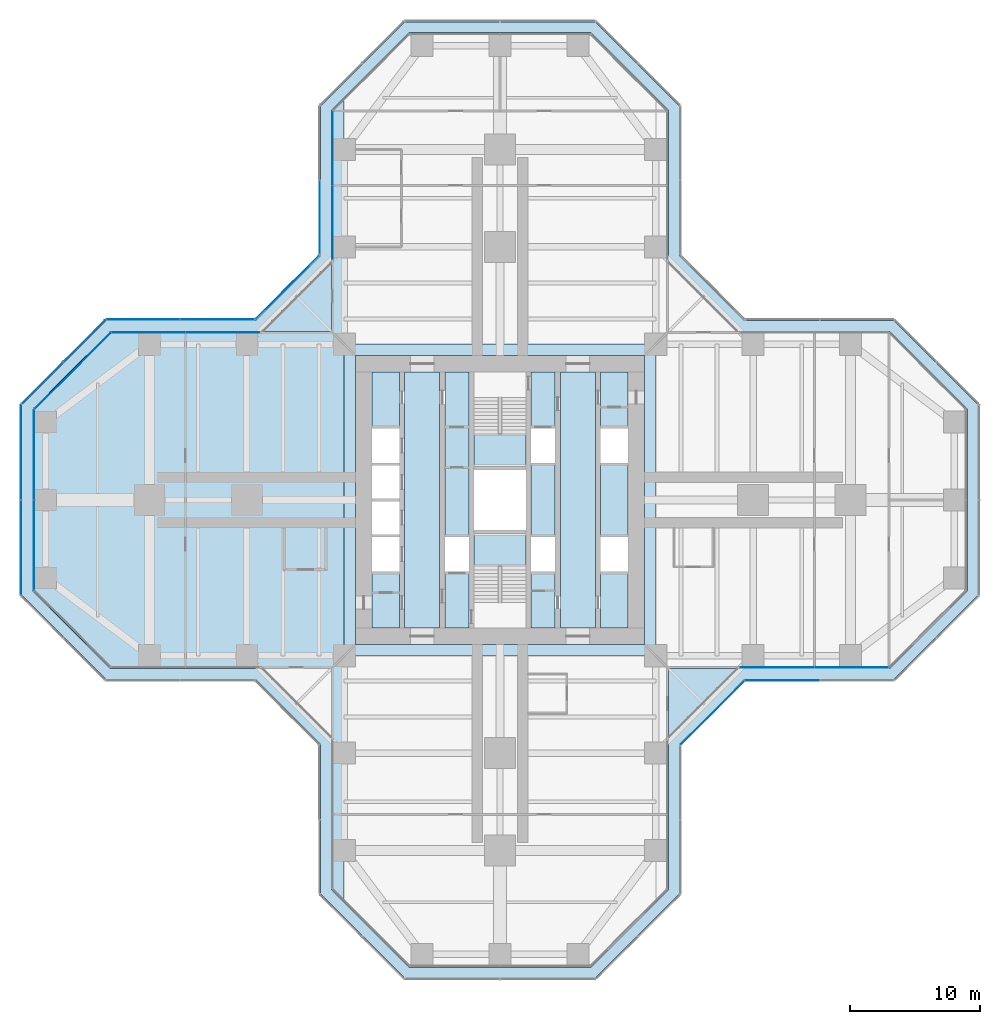
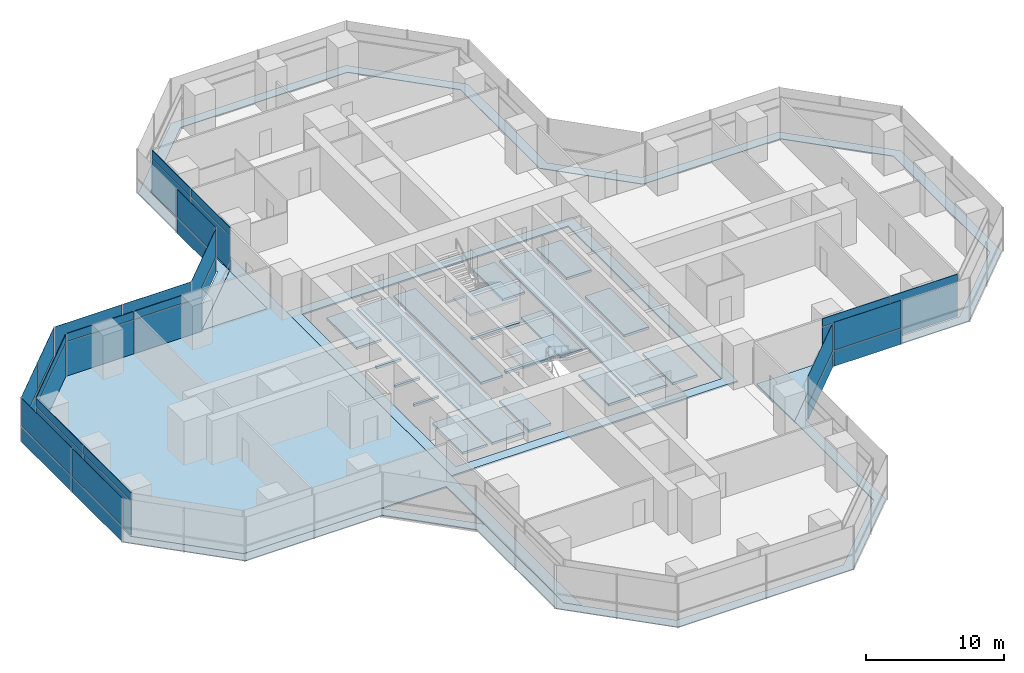
# One storey, part 15 of 22: 39 plates, 7 slabs, 14 elements without a shape of their own.
"""IFC4 building model written with IfcOpenShell, lengths in metres."""

from ifc_helpers import new_model, si_unit, direction, frame, origin, origin_2d, place, context, subcontext, project, spatial, polyline, rectangle, outline, extrude, material, layer, layer_set, type_object, element, aggregate, save


model = new_model("IFC4")

# Units and contexts
model_context = context("Model", 3, precision=1e-05, world=origin(), true_north=direction((0.0, 1.0)))
body_context = subcontext(model_context, "Body", "Model", "MODEL_VIEW")
ifc_project = project(units=[si_unit("LENGTHUNIT", "METRE"), si_unit("AREAUNIT", "SQUARE_METRE"), si_unit("VOLUMEUNIT", "CUBIC_METRE"), si_unit("PLANEANGLEUNIT", "RADIAN"), si_unit("MASSUNIT", "GRAM", prefix="KILO")], contexts=[model_context])

# Site, building, storey
site_placement = place(None, origin())
site = spatial("IfcSite", under=ifc_project, at=site_placement, CompositionType="ELEMENT")
building_placement = place(site_placement, origin())
building = spatial("IfcBuilding", under=site, at=building_placement, Name="Mizan Broadcast Tower", CompositionType="ELEMENT")
storey_placement = place(building_placement, frame((0.0, 0.0, 102.0)))
storey = spatial("IfcBuildingStorey", under=building, at=storey_placement, Name="L22", CompositionType="ELEMENT", Elevation=102.0)

# Plate
ifc_material_1 = material(Name="Aluminium grating", Category="aluminium")
ifc_layer_1 = layer(ifc_material_1, 0.050048828125)
ifc_layer_set_1 = layer_set([ifc_layer_1], Name="Aluminium grating")
plate_type_1 = type_object("IfcPlateType", Name="CAVITY GRATING", PredefinedType="USERDEFINED", material=ifc_layer_set_1)
plate_1_placement = place(storey_placement, frame((0.0, 0.0, -0.050048828125)))
element("IfcPlate", 1, at=plate_1_placement, inside=storey, type_object=plate_type_1, Name="Cavity grating L22", ObjectType="GRATING", PredefinedType="USERDEFINED", context=body_context, shape_type="SweptSolid", body=[
    extrude(outline(polyline([(13.820068359375, -18.839599609375), (18.839599609375, -13.820068359375), (30.339599609375, -13.820068359375), (36.820068359375, -7.339599609375), (36.820068359375, 7.339599609375), (30.339599609375, 13.820068359375), (18.839599609375, 13.820068359375), (13.820068359375, 18.839599609375), (13.820068359375, 30.339599609375), (7.339599609375, 36.820068359375), (-7.339599609375, 36.820068359375), (-13.820068359375, 30.339599609375), (-13.820068359375, 18.839599609375), (-18.839599609375, 13.820068359375), (-30.339599609375, 13.820068359375), (-36.820068359375, 7.339599609375), (-36.820068359375, -7.339599609375), (-30.339599609375, -13.820068359375), (-18.839599609375, -13.820068359375), (-13.820068359375, -18.839599609375), (-13.820068359375, -30.339599609375), (-7.339599609375, -36.820068359375), (7.339599609375, -36.820068359375), (13.820068359375, -30.339599609375), (13.820068359375, -18.839599609375)]), holes=[polyline([(36.0, 7.0), (36.0, -7.0), (30.0, -13.0), (18.5, -13.0), (13.0, -18.5), (13.0, -30.0), (7.0, -36.0), (-7.0, -36.0), (-13.0, -30.0), (-13.0, -18.5), (-18.5, -13.0), (-30.0, -13.0), (-36.0, -7.0), (-36.0, 7.0), (-30.0, 13.0), (-18.5, 13.0), (-13.0, 18.5), (-13.0, 30.0), (-7.0, 36.0), (7.0, 36.0), (13.0, 30.0), (13.0, 18.5), (18.5, 13.0), (30.0, 13.0), (36.0, 7.0)])]), origin(), (0.0, 0.0, 1.0), 0.050048828125),
])

# Slabs
ifc_material_2 = material(Name="Concrete C32/40", Category="concrete")
ifc_layer_2 = layer(ifc_material_2, 0.1298828125)
ifc_layer_set_2 = layer_set([ifc_layer_2], Name="Concrete C32/40")
slab_type_1 = type_object("IfcSlabType", Name="COMPOSITE DECK SLAB 130", PredefinedType="FLOOR", material=ifc_layer_set_2)
slab_1_placement = place(storey_placement, frame((0.0, 0.0, -0.1298828125)))
element("IfcSlab", 2, at=slab_1_placement, inside=storey, type_object=slab_type_1, Name="Floor slab L22 centre", PredefinedType="FLOOR", context=body_context, shape_type="SweptSolid", body=[
    extrude(outline(polyline([(-12.0, -12.0), (12.0, -12.0), (12.0, 12.0), (-12.0, 12.0), (-12.0, -12.0)]), holes=[polyline([(-11.14990234375, 11.14990234375), (11.14990234375, 11.14990234375), (11.14990234375, -11.14990234375), (-11.14990234375, -11.14990234375), (-11.14990234375, 11.14990234375)])]), origin(), (0.0, 0.0, 1.0), 0.1298828125),
])
slab_2_placement = place(storey_placement, frame((0.0, 0.0, -0.1298828125)))
element("IfcSlab", 3, at=slab_2_placement, inside=storey, type_object=slab_type_1, Name="Floor slab L22 west arm", PredefinedType="FLOOR", context=body_context, shape_type="SweptSolid", body=[
    extrude(outline(polyline([(-13.0, -30.0), (-12.0, -31.0), (-12.0, 31.0), (-13.0, 30.0), (-13.0, 13.0), (-30.0, 13.0), (-36.0, 7.0), (-36.0, -7.0), (-30.0, -13.0), (-13.0, -13.0), (-13.0, -30.0)])), origin(), (0.0, 0.0, 1.0), 0.1298828125),
])
ifc_material_3 = material(Name="Concrete C40/50", Category="concrete")
ifc_layer_3 = layer(ifc_material_3, 0.199951171875)
ifc_layer_set_3 = layer_set([ifc_layer_3], Name="Concrete C40/50")
slab_type_2 = type_object("IfcSlabType", Name="CORE FLOOR 200", PredefinedType="FLOOR", material=ifc_layer_set_3)
slab_3_placement = place(storey_placement, frame((0.0, 0.0, -0.199951171875)))
element("IfcSlab", 4, at=slab_3_placement, inside=storey, type_object=slab_type_2, Name="Core floor L22", PredefinedType="FLOOR", context=body_context, shape_type="SweptSolid", body=[
    extrude(outline(polyline([(-9.85009765625, -9.85009765625), (-7.75, -9.85009765625), (-7.75, -5.5), (-9.85009765625, -5.5), (-9.85009765625, -9.85009765625)])), origin(), (0.0, 0.0, 1.0), 0.199951171875),
    extrude(outline(polyline([(-9.85009765625, -2.85009765625), (-7.75, -2.85009765625), (-7.75, -2.64990234375), (-9.85009765625, -2.64990234375), (-9.85009765625, -2.85009765625)])), origin(), (0.0, 0.0, 1.0), 0.199951171875),
    extrude(outline(polyline([(-9.85009765625, -0.10009765625), (-7.75, -0.10009765625), (-7.75, 0.10009765625), (-9.85009765625, 0.10009765625), (-9.85009765625, -0.10009765625)])), origin(), (0.0, 0.0, 1.0), 0.199951171875),
    extrude(outline(polyline([(-9.85009765625, 2.64990234375), (-7.75, 2.64990234375), (-7.75, 2.85009765625), (-9.85009765625, 2.85009765625), (-9.85009765625, 2.64990234375)])), origin(), (0.0, 0.0, 1.0), 0.199951171875),
    extrude(outline(polyline([(-9.85009765625, 5.5), (-7.75, 5.5), (-7.75, 9.85009765625), (-9.85009765625, 9.85009765625), (-9.85009765625, 5.5)])), origin(), (0.0, 0.0, 1.0), 0.199951171875),
    extrude(outline(polyline([(-4.64990234375, 9.85009765625), (-7.35009765625, 9.85009765625), (-7.35009765625, -9.85009765625), (-4.64990234375, -9.85009765625), (-4.64990234375, 9.85009765625)])), origin(), (0.0, 0.0, 1.0), 0.199951171875),
    extrude(outline(polyline([(-4.25, -5.5), (-4.25, -9.85009765625), (-2.39990234375, -9.85009765625), (-2.39990234375, -5.5), (-4.25, -5.5)])), origin(), (0.0, 0.0, 1.0), 0.199951171875),
    extrude(outline(polyline([(-4.25, -2.85009765625), (-2.39990234375, -2.85009765625), (-2.39990234375, 9.85009765625), (-4.25, 9.85009765625), (-4.25, -2.85009765625)])), origin(), (0.0, 0.0, 1.0), 0.199951171875),
    extrude(outline(polyline([(2.0, -2.324951171875), (-2.0, -2.324951171875), (-2.0, -2.574951171875), (2.0, -2.574951171875), (2.0, -2.324951171875)])), origin(), (0.0, 0.0, 1.0), 0.199951171875),
    extrude(outline(polyline([(2.0, 2.574951171875), (-2.0, 2.574951171875), (-2.0, 2.324951171875), (2.0, 2.324951171875), (2.0, 2.574951171875)])), origin(), (0.0, 0.0, 1.0), 0.199951171875),
    extrude(outline(polyline([(4.25, -9.85009765625), (4.25, -5.5), (2.39990234375, -5.5), (2.39990234375, -9.85009765625), (4.25, -9.85009765625)])), origin(), (0.0, 0.0, 1.0), 0.199951171875),
    extrude(outline(polyline([(4.25, -2.85009765625), (4.25, 2.85009765625), (2.39990234375, 2.85009765625), (2.39990234375, -2.85009765625), (4.25, -2.85009765625)])), origin(), (0.0, 0.0, 1.0), 0.199951171875),
    extrude(outline(polyline([(4.25, 5.5), (4.25, 9.85009765625), (2.39990234375, 9.85009765625), (2.39990234375, 5.5), (4.25, 5.5)])), origin(), (0.0, 0.0, 1.0), 0.199951171875),
    extrude(outline(polyline([(4.64990234375, 9.85009765625), (4.64990234375, -9.85009765625), (7.35009765625, -9.85009765625), (7.35009765625, 9.85009765625), (4.64990234375, 9.85009765625)])), origin(), (0.0, 0.0, 1.0), 0.199951171875),
    extrude(outline(polyline([(9.85009765625, -9.85009765625), (9.85009765625, -5.5), (7.75, -5.5), (7.75, -9.85009765625), (9.85009765625, -9.85009765625)])), origin(), (0.0, 0.0, 1.0), 0.199951171875),
    extrude(outline(polyline([(7.75, 2.85009765625), (7.75, -2.85009765625), (9.85009765625, -2.85009765625), (9.85009765625, 2.85009765625), (7.75, 2.85009765625)])), origin(), (0.0, 0.0, 1.0), 0.199951171875),
    extrude(outline(polyline([(9.85009765625, 5.5), (9.85009765625, 9.85009765625), (7.75, 9.85009765625), (7.75, 5.5), (9.85009765625, 5.5)])), origin(), (0.0, 0.0, 1.0), 0.199951171875),
])

# Curtain wall, plates
ifc_material_4 = material(Name="Aluminium framed glazing", Category="aluminium")
curtain_wall_type_1 = type_object("IfcCurtainWallType", Name="INNER SKIN LOW ZONE", PredefinedType="USERDEFINED", material=ifc_material_4)
curtain_wall_1_placement = place(storey_placement, origin())
curtain_wall_1 = element("IfcCurtainWall", 5, at=curtain_wall_1_placement, inside=storey, type_object=curtain_wall_type_1, Name="Inner skin low zone L22 E side", ObjectType="INNER SKIN LOW ZONE", PredefinedType="USERDEFINED")
ifc_material_5 = material(Name="Double glazing, clear low-e", Category="glass")
ifc_layer_4 = layer(ifc_material_5, 0.028076171875)
ifc_layer_set_4 = layer_set([ifc_layer_4], Name="Double glazing, clear low-e")
plate_type_2 = type_object("IfcPlateType", Name="INNER SKIN GLAZING UNIT", PredefinedType="CURTAIN_PANEL", material=ifc_layer_set_4)
plate_2_placement = place(storey_placement, frame((21.379638671875, -12.89990234375, 0.0), z_axis=(0.0, 0.0, 1.0), x_axis=(1.0, 0.0, 0.0)))
plate_2 = element("IfcPlate", 6, at=plate_2_placement, type_object=plate_type_2, Name="Inner skin low zone L22 E side panel 1.1", PredefinedType="CURTAIN_PANEL", context=body_context, shape_type="SweptSolid", body=[
    extrude(rectangle(XDim=5.639404296875, YDim=0.028076171875, at=origin_2d()), origin(), (0.0, 0.0, 1.0), 3.0),
])
plate_3_placement = place(storey_placement, frame((27.078857421875, -12.89990234375, 0.0), z_axis=(0.0, 0.0, 1.0), x_axis=(1.0, 0.0, 0.0)))
plate_3 = element("IfcPlate", 7, at=plate_3_placement, type_object=plate_type_2, Name="Inner skin low zone L22 E side panel 2.1", PredefinedType="CURTAIN_PANEL", context=body_context, shape_type="SweptSolid", body=[
    extrude(rectangle(XDim=5.639404296875, YDim=0.028076171875, at=origin_2d()), origin(), (0.0, 0.0, 1.0), 3.0),
])

curtain_wall_2_placement = place(storey_placement, origin())
curtain_wall_2 = element("IfcCurtainWall", 8, at=curtain_wall_2_placement, inside=storey, type_object=curtain_wall_type_1, Name="Inner skin low zone L22 N side", ObjectType="INNER SKIN LOW ZONE", PredefinedType="USERDEFINED")
plate_4_placement = place(storey_placement, frame((-12.89990234375, 27.078857421875, 0.0), z_axis=(0.0, 0.0, 1.0), x_axis=(0.0, -1.0, 0.0)))
plate_4 = element("IfcPlate", 9, at=plate_4_placement, type_object=plate_type_2, Name="Inner skin low zone L22 N side panel 1.1", PredefinedType="CURTAIN_PANEL", context=body_context, shape_type="SweptSolid", body=[
    extrude(rectangle(XDim=5.639404296875, YDim=0.028076171875, at=origin_2d()), origin(), (0.0, 0.0, 1.0), 3.0),
])
plate_5_placement = place(storey_placement, frame((-12.89990234375, 21.379638671875, 0.0), z_axis=(0.0, 0.0, 1.0), x_axis=(0.0, -1.0, 0.0)))
plate_5 = element("IfcPlate", 10, at=plate_5_placement, type_object=plate_type_2, Name="Inner skin low zone L22 N side panel 2.1", PredefinedType="CURTAIN_PANEL", context=body_context, shape_type="SweptSolid", body=[
    extrude(rectangle(XDim=5.639404296875, YDim=0.028076171875, at=origin_2d()), origin(), (0.0, 0.0, 1.0), 3.0),
])

curtain_wall_3_placement = place(storey_placement, origin())
curtain_wall_3 = element("IfcCurtainWall", 11, at=curtain_wall_3_placement, inside=storey, type_object=curtain_wall_type_1, Name="Inner skin low zone L22 W side", ObjectType="INNER SKIN LOW ZONE", PredefinedType="USERDEFINED")
plate_6_placement = place(storey_placement, frame((-21.379638671875, 12.89990234375, 0.0), z_axis=(0.0, 0.0, 1.0), x_axis=(-1.0, 0.0, 0.0)))
plate_6 = element("IfcPlate", 12, at=plate_6_placement, type_object=plate_type_2, Name="Inner skin low zone L22 W side panel 1.1", PredefinedType="CURTAIN_PANEL", context=body_context, shape_type="SweptSolid", body=[
    extrude(rectangle(XDim=5.639404296875, YDim=0.028076171875, at=origin_2d()), origin(), (0.0, 0.0, 1.0), 3.0),
])
plate_7_placement = place(storey_placement, frame((-27.078857421875, 12.89990234375, 0.0), z_axis=(0.0, 0.0, 1.0), x_axis=(-1.0, 0.0, 0.0)))
plate_7 = element("IfcPlate", 13, at=plate_7_placement, type_object=plate_type_2, Name="Inner skin low zone L22 W side panel 2.1", PredefinedType="CURTAIN_PANEL", context=body_context, shape_type="SweptSolid", body=[
    extrude(rectangle(XDim=5.639404296875, YDim=0.028076171875, at=origin_2d()), origin(), (0.0, 0.0, 1.0), 3.0),
])

# Curtain wall, plate
curtain_wall_4_placement = place(storey_placement, origin())
curtain_wall_4 = element("IfcCurtainWall", 14, at=curtain_wall_4_placement, inside=storey, type_object=curtain_wall_type_1, Name="Inner skin low zone L22 W chamfer", ObjectType="INNER SKIN LOW ZONE", PredefinedType="USERDEFINED")
plate_8_placement = place(storey_placement, frame((-32.92919921875, 9.92919921875, 0.0), z_axis=(0.0, 0.0, 1.0), x_axis=(-0.707106781187, -0.707106781187, 0.0)))
plate_8 = element("IfcPlate", 15, at=plate_8_placement, type_object=plate_type_2, Name="Inner skin low zone L22 W chamfer panel 1.1", PredefinedType="CURTAIN_PANEL", context=body_context, shape_type="SweptSolid", body=[
    extrude(rectangle(XDim=8.282470703125, YDim=0.028076171875, at=origin_2d()), origin(), (0.0, 0.0, 1.0), 3.0),
])

# Curtain wall, plates
curtain_wall_5_placement = place(storey_placement, origin())
curtain_wall_5 = element("IfcCurtainWall", 16, at=curtain_wall_5_placement, inside=storey, type_object=curtain_wall_type_1, Name="Inner skin low zone L22 W end", ObjectType="INNER SKIN LOW ZONE", PredefinedType="USERDEFINED")
plate_9_placement = place(storey_placement, frame((-35.89990234375, 3.46435546875, 0.0), z_axis=(0.0, 0.0, 1.0), x_axis=(0.0, -1.0, 0.0)))
plate_9 = element("IfcPlate", 17, at=plate_9_placement, type_object=plate_type_2, Name="Inner skin low zone L22 W end panel 1.1", PredefinedType="CURTAIN_PANEL", context=body_context, shape_type="SweptSolid", body=[
    extrude(rectangle(XDim=6.86865234375, YDim=0.028076171875, at=origin_2d()), origin(), (0.0, 0.0, 1.0), 3.0),
])
plate_10_placement = place(storey_placement, frame((-35.89990234375, -3.46435546875, 0.0), z_axis=(0.0, 0.0, 1.0), x_axis=(0.0, -1.0, 0.0)))
plate_10 = element("IfcPlate", 18, at=plate_10_placement, type_object=plate_type_2, Name="Inner skin low zone L22 W end panel 2.1", PredefinedType="CURTAIN_PANEL", context=body_context, shape_type="SweptSolid", body=[
    extrude(rectangle(XDim=6.86865234375, YDim=0.028076171875, at=origin_2d()), origin(), (0.0, 0.0, 1.0), 3.0),
])

# Plate
ifc_material_6 = material(Name="Insulated aluminium spandrel panel, pale anodised", Category="aluminium")
ifc_layer_5 = layer(ifc_material_6, 0.050048828125)
ifc_layer_set_5 = layer_set([ifc_layer_5], Name="Insulated aluminium spandrel panel, pale anodised")
plate_type_3 = type_object("IfcPlateType", Name="INNER SKIN SPANDREL PANEL", PredefinedType="CURTAIN_PANEL", material=ifc_layer_set_5)
plate_11_placement = place(storey_placement, frame((21.379638671875, -12.89990234375, 3.06005859375), z_axis=(0.0, 0.0, 1.0), x_axis=(1.0, 0.0, 0.0)))
plate_11 = element("IfcPlate", 19, at=plate_11_placement, type_object=plate_type_3, Name="Inner skin low zone L22 E side panel 1.2", PredefinedType="CURTAIN_PANEL", context=body_context, shape_type="SweptSolid", body=[
    extrude(rectangle(XDim=5.639404296875, YDim=0.050048828125, at=origin_2d()), origin(), (0.0, 0.0, 1.0), 0.7099609375),
])

plate_12_placement = place(storey_placement, frame((27.078857421875, -12.89990234375, 3.06005859375), z_axis=(0.0, 0.0, 1.0), x_axis=(1.0, 0.0, 0.0)))
plate_12 = element("IfcPlate", 20, at=plate_12_placement, type_object=plate_type_3, Name="Inner skin low zone L22 E side panel 2.2", PredefinedType="CURTAIN_PANEL", context=body_context, shape_type="SweptSolid", body=[
    extrude(rectangle(XDim=5.639404296875, YDim=0.050048828125, at=origin_2d()), origin(), (0.0, 0.0, 1.0), 0.7099609375),
])

aggregate(curtain_wall_1, [plate_2, plate_11, plate_3, plate_12])

plate_13_placement = place(storey_placement, frame((-12.89990234375, 27.078857421875, 3.06005859375), z_axis=(0.0, 0.0, 1.0), x_axis=(0.0, -1.0, 0.0)))
plate_13 = element("IfcPlate", 21, at=plate_13_placement, type_object=plate_type_3, Name="Inner skin low zone L22 N side panel 1.2", PredefinedType="CURTAIN_PANEL", context=body_context, shape_type="SweptSolid", body=[
    extrude(rectangle(XDim=5.639404296875, YDim=0.050048828125, at=origin_2d()), origin(), (0.0, 0.0, 1.0), 0.7099609375),
])

plate_14_placement = place(storey_placement, frame((-12.89990234375, 21.379638671875, 3.06005859375), z_axis=(0.0, 0.0, 1.0), x_axis=(0.0, -1.0, 0.0)))
plate_14 = element("IfcPlate", 22, at=plate_14_placement, type_object=plate_type_3, Name="Inner skin low zone L22 N side panel 2.2", PredefinedType="CURTAIN_PANEL", context=body_context, shape_type="SweptSolid", body=[
    extrude(rectangle(XDim=5.639404296875, YDim=0.050048828125, at=origin_2d()), origin(), (0.0, 0.0, 1.0), 0.7099609375),
])

aggregate(curtain_wall_2, [plate_4, plate_13, plate_5, plate_14])

plate_15_placement = place(storey_placement, frame((-21.379638671875, 12.89990234375, 3.06005859375), z_axis=(0.0, 0.0, 1.0), x_axis=(-1.0, 0.0, 0.0)))
plate_15 = element("IfcPlate", 23, at=plate_15_placement, type_object=plate_type_3, Name="Inner skin low zone L22 W side panel 1.2", PredefinedType="CURTAIN_PANEL", context=body_context, shape_type="SweptSolid", body=[
    extrude(rectangle(XDim=5.639404296875, YDim=0.050048828125, at=origin_2d()), origin(), (0.0, 0.0, 1.0), 0.7099609375),
])

plate_16_placement = place(storey_placement, frame((-27.078857421875, 12.89990234375, 3.06005859375), z_axis=(0.0, 0.0, 1.0), x_axis=(-1.0, 0.0, 0.0)))
plate_16 = element("IfcPlate", 24, at=plate_16_placement, type_object=plate_type_3, Name="Inner skin low zone L22 W side panel 2.2", PredefinedType="CURTAIN_PANEL", context=body_context, shape_type="SweptSolid", body=[
    extrude(rectangle(XDim=5.639404296875, YDim=0.050048828125, at=origin_2d()), origin(), (0.0, 0.0, 1.0), 0.7099609375),
])

aggregate(curtain_wall_3, [plate_6, plate_15, plate_7, plate_16])

plate_17_placement = place(storey_placement, frame((-32.92919921875, 9.92919921875, 3.06005859375), z_axis=(0.0, 0.0, 1.0), x_axis=(-0.707106781187, -0.707106781187, 0.0)))
plate_17 = element("IfcPlate", 25, at=plate_17_placement, type_object=plate_type_3, Name="Inner skin low zone L22 W chamfer panel 1.2", PredefinedType="CURTAIN_PANEL", context=body_context, shape_type="SweptSolid", body=[
    extrude(rectangle(XDim=8.282470703125, YDim=0.050048828125, at=origin_2d()), origin(), (0.0, 0.0, 1.0), 0.7099609375),
])

aggregate(curtain_wall_4, [plate_8, plate_17])

plate_18_placement = place(storey_placement, frame((-35.89990234375, 3.46435546875, 3.06005859375), z_axis=(0.0, 0.0, 1.0), x_axis=(0.0, -1.0, 0.0)))
plate_18 = element("IfcPlate", 26, at=plate_18_placement, type_object=plate_type_3, Name="Inner skin low zone L22 W end panel 1.2", PredefinedType="CURTAIN_PANEL", context=body_context, shape_type="SweptSolid", body=[
    extrude(rectangle(XDim=6.86865234375, YDim=0.050048828125, at=origin_2d()), origin(), (0.0, 0.0, 1.0), 0.7099609375),
])

plate_19_placement = place(storey_placement, frame((-35.89990234375, -3.46435546875, 3.06005859375), z_axis=(0.0, 0.0, 1.0), x_axis=(0.0, -1.0, 0.0)))
plate_19 = element("IfcPlate", 27, at=plate_19_placement, type_object=plate_type_3, Name="Inner skin low zone L22 W end panel 2.2", PredefinedType="CURTAIN_PANEL", context=body_context, shape_type="SweptSolid", body=[
    extrude(rectangle(XDim=6.86865234375, YDim=0.050048828125, at=origin_2d()), origin(), (0.0, 0.0, 1.0), 0.7099609375),
])

aggregate(curtain_wall_5, [plate_9, plate_18, plate_10, plate_19])

# Curtain wall, plates
ifc_material_7 = material(Name="Aluminium framed glazing", Category="aluminium")
curtain_wall_type_2 = type_object("IfcCurtainWallType", Name="OUTER SKIN", PredefinedType="USERDEFINED", material=ifc_material_7)
curtain_wall_6_placement = place(storey_placement, origin())
curtain_wall_6 = element("IfcCurtainWall", 28, at=curtain_wall_6_placement, inside=storey, type_object=curtain_wall_type_2, Name="Outer skin L22 W chamfer", ObjectType="OUTER SKIN", PredefinedType="USERDEFINED")
ifc_material_8 = material(Name="Laminated clear glass", Category="glass")
ifc_layer_6 = layer(ifc_material_8, 0.02001953125)
ifc_layer_set_6 = layer_set([ifc_layer_6], Name="Laminated clear glass")
plate_type_4 = type_object("IfcPlateType", Name="OUTER SKIN CLEAR GLASS", PredefinedType="CURTAIN_PANEL", material=ifc_layer_set_6)
plate_20_placement = place(storey_placement, frame((-16.386474609375, 16.386474609375, 0.0), z_axis=(0.0, 0.0, 1.0), x_axis=(-0.707106781187, -0.707106781187, 0.0)))
plate_20 = element("IfcPlate", 29, at=plate_20_placement, type_object=plate_type_4, Name="Outer skin L22 W chamfer panel 1.1", PredefinedType="CURTAIN_PANEL", context=body_context, shape_type="SweptSolid", body=[
    extrude(rectangle(XDim=6.87255859375, YDim=0.02001953125, at=origin_2d()), origin(), (0.0, 0.0, 1.0), 1.3701171875),
])
plate_21_placement = place(storey_placement, frame((-16.386474609375, 16.386474609375, 1.43017578125), z_axis=(0.0, 0.0, 1.0), x_axis=(-0.707106781187, -0.707106781187, 0.0)))
plate_21 = element("IfcPlate", 30, at=plate_21_placement, type_object=plate_type_4, Name="Outer skin L22 W chamfer panel 1.2", PredefinedType="CURTAIN_PANEL", context=body_context, shape_type="SweptSolid", body=[
    extrude(rectangle(XDim=6.87255859375, YDim=0.02001953125, at=origin_2d()), origin(), (0.0, 0.0, 1.0), 2.469970703125),
])
aggregate(curtain_wall_6, [plate_20, plate_21])

curtain_wall_7_placement = place(storey_placement, origin())
curtain_wall_7 = element("IfcCurtainWall", 31, at=curtain_wall_7_placement, inside=storey, type_object=curtain_wall_type_2, Name="Outer skin L22 W side", ObjectType="OUTER SKIN", PredefinedType="USERDEFINED")
plate_22_placement = place(storey_placement, frame((-21.767822265625, 13.89990234375, 0.0), z_axis=(0.0, 0.0, 1.0), x_axis=(-1.0, 0.0, 0.0)))
plate_22 = element("IfcPlate", 32, at=plate_22_placement, type_object=plate_type_4, Name="Outer skin L22 W side panel 1.1", PredefinedType="CURTAIN_PANEL", context=body_context, shape_type="SweptSolid", body=[
    extrude(rectangle(XDim=5.6298828125, YDim=0.02001953125, at=origin_2d()), origin(), (0.0, 0.0, 1.0), 1.3701171875),
])
plate_23_placement = place(storey_placement, frame((-21.767822265625, 13.89990234375, 1.43017578125), z_axis=(0.0, 0.0, 1.0), x_axis=(-1.0, 0.0, 0.0)))
plate_23 = element("IfcPlate", 33, at=plate_23_placement, type_object=plate_type_4, Name="Outer skin L22 W side panel 1.2", PredefinedType="CURTAIN_PANEL", context=body_context, shape_type="SweptSolid", body=[
    extrude(rectangle(XDim=5.6298828125, YDim=0.02001953125, at=origin_2d()), origin(), (0.0, 0.0, 1.0), 2.469970703125),
])
plate_24_placement = place(storey_placement, frame((-27.477783203125, 13.89990234375, 0.0), z_axis=(0.0, 0.0, 1.0), x_axis=(-1.0, 0.0, 0.0)))
plate_24 = element("IfcPlate", 34, at=plate_24_placement, type_object=plate_type_4, Name="Outer skin L22 W side panel 2.1", PredefinedType="CURTAIN_PANEL", context=body_context, shape_type="SweptSolid", body=[
    extrude(rectangle(XDim=5.6298828125, YDim=0.02001953125, at=origin_2d()), origin(), (0.0, 0.0, 1.0), 1.3701171875),
])
plate_25_placement = place(storey_placement, frame((-27.477783203125, 13.89990234375, 1.43017578125), z_axis=(0.0, 0.0, 1.0), x_axis=(-1.0, 0.0, 0.0)))
plate_25 = element("IfcPlate", 35, at=plate_25_placement, type_object=plate_type_4, Name="Outer skin L22 W side panel 2.2", PredefinedType="CURTAIN_PANEL", context=body_context, shape_type="SweptSolid", body=[
    extrude(rectangle(XDim=5.6298828125, YDim=0.02001953125, at=origin_2d()), origin(), (0.0, 0.0, 1.0), 2.469970703125),
])
aggregate(curtain_wall_7, [plate_22, plate_23, plate_24, plate_25])

curtain_wall_8_placement = place(storey_placement, origin())
curtain_wall_8 = element("IfcCurtainWall", 36, at=curtain_wall_8_placement, inside=storey, type_object=curtain_wall_type_2, Name="Outer skin L22 W chamfer", ObjectType="OUTER SKIN", PredefinedType="USERDEFINED")
plate_26_placement = place(storey_placement, frame((-32.018798828125, 12.254150390625, 0.0), z_axis=(0.0, 0.0, 1.0), x_axis=(-0.707106781187, -0.707106781187, 0.0)))
plate_26 = element("IfcPlate", 37, at=plate_26_placement, type_object=plate_type_4, Name="Outer skin L22 W chamfer panel 1.1", PredefinedType="CURTAIN_PANEL", context=body_context, shape_type="SweptSolid", body=[
    extrude(rectangle(XDim=4.495361328125, YDim=0.02001953125, at=origin_2d()), origin(), (0.0, 0.0, 1.0), 1.3701171875),
])
plate_27_placement = place(storey_placement, frame((-32.018798828125, 12.254150390625, 1.43017578125), z_axis=(0.0, 0.0, 1.0), x_axis=(-0.707106781187, -0.707106781187, 0.0)))
plate_27 = element("IfcPlate", 38, at=plate_27_placement, type_object=plate_type_4, Name="Outer skin L22 W chamfer panel 1.2", PredefinedType="CURTAIN_PANEL", context=body_context, shape_type="SweptSolid", body=[
    extrude(rectangle(XDim=4.495361328125, YDim=0.02001953125, at=origin_2d()), origin(), (0.0, 0.0, 1.0), 2.469970703125),
])

curtain_wall_9_placement = place(storey_placement, origin())
curtain_wall_9 = element("IfcCurtainWall", 39, at=curtain_wall_9_placement, inside=storey, type_object=curtain_wall_type_2, Name="Outer skin L22 W end", ObjectType="OUTER SKIN", PredefinedType="USERDEFINED")
plate_28_placement = place(storey_placement, frame((-36.89990234375, 3.66650390625, 0.0), z_axis=(0.0, 0.0, 1.0), x_axis=(0.0, -1.0, 0.0)))
plate_28 = element("IfcPlate", 40, at=plate_28_placement, type_object=plate_type_4, Name="Outer skin L22 W end panel 1.1", PredefinedType="CURTAIN_PANEL", context=body_context, shape_type="SweptSolid", body=[
    extrude(rectangle(XDim=7.252685546875, YDim=0.02001953125, at=origin_2d()), origin(), (0.0, 0.0, 1.0), 1.3701171875),
])
plate_29_placement = place(storey_placement, frame((-36.89990234375, 3.66650390625, 1.43017578125), z_axis=(0.0, 0.0, 1.0), x_axis=(0.0, -1.0, 0.0)))
plate_29 = element("IfcPlate", 41, at=plate_29_placement, type_object=plate_type_4, Name="Outer skin L22 W end panel 1.2", PredefinedType="CURTAIN_PANEL", context=body_context, shape_type="SweptSolid", body=[
    extrude(rectangle(XDim=7.252685546875, YDim=0.02001953125, at=origin_2d()), origin(), (0.0, 0.0, 1.0), 2.469970703125),
])

curtain_wall_10_placement = place(storey_placement, origin())
curtain_wall_10 = element("IfcCurtainWall", 42, at=curtain_wall_10_placement, inside=storey, type_object=curtain_wall_type_2, Name="Outer skin L22 E chamfer", ObjectType="OUTER SKIN", PredefinedType="USERDEFINED")
plate_30_placement = place(storey_placement, frame((16.386474609375, -16.386474609375, 0.0), z_axis=(0.0, 0.0, 1.0), x_axis=(0.707106781187, 0.707106781187, 0.0)))
plate_30 = element("IfcPlate", 43, at=plate_30_placement, type_object=plate_type_4, Name="Outer skin L22 E chamfer panel 1.1", PredefinedType="CURTAIN_PANEL", context=body_context, shape_type="SweptSolid", body=[
    extrude(rectangle(XDim=6.87255859375, YDim=0.02001953125, at=origin_2d()), origin(), (0.0, 0.0, 1.0), 1.3701171875),
])
plate_31_placement = place(storey_placement, frame((16.386474609375, -16.386474609375, 1.43017578125), z_axis=(0.0, 0.0, 1.0), x_axis=(0.707106781187, 0.707106781187, 0.0)))
plate_31 = element("IfcPlate", 44, at=plate_31_placement, type_object=plate_type_4, Name="Outer skin L22 E chamfer panel 1.2", PredefinedType="CURTAIN_PANEL", context=body_context, shape_type="SweptSolid", body=[
    extrude(rectangle(XDim=6.87255859375, YDim=0.02001953125, at=origin_2d()), origin(), (0.0, 0.0, 1.0), 2.469970703125),
])
aggregate(curtain_wall_10, [plate_30, plate_31])

curtain_wall_11_placement = place(storey_placement, origin())
curtain_wall_11 = element("IfcCurtainWall", 45, at=curtain_wall_11_placement, inside=storey, type_object=curtain_wall_type_2, Name="Outer skin L22 E side", ObjectType="OUTER SKIN", PredefinedType="USERDEFINED")
plate_32_placement = place(storey_placement, frame((21.767822265625, -13.89990234375, 0.0), z_axis=(0.0, 0.0, 1.0), x_axis=(1.0, 0.0, 0.0)))
plate_32 = element("IfcPlate", 46, at=plate_32_placement, type_object=plate_type_4, Name="Outer skin L22 E side panel 1.1", PredefinedType="CURTAIN_PANEL", context=body_context, shape_type="SweptSolid", body=[
    extrude(rectangle(XDim=5.6298828125, YDim=0.02001953125, at=origin_2d()), origin(), (0.0, 0.0, 1.0), 1.3701171875),
])
plate_33_placement = place(storey_placement, frame((21.767822265625, -13.89990234375, 1.43017578125), z_axis=(0.0, 0.0, 1.0), x_axis=(1.0, 0.0, 0.0)))
plate_33 = element("IfcPlate", 47, at=plate_33_placement, type_object=plate_type_4, Name="Outer skin L22 E side panel 1.2", PredefinedType="CURTAIN_PANEL", context=body_context, shape_type="SweptSolid", body=[
    extrude(rectangle(XDim=5.6298828125, YDim=0.02001953125, at=origin_2d()), origin(), (0.0, 0.0, 1.0), 2.469970703125),
])
aggregate(curtain_wall_11, [plate_32, plate_33])

curtain_wall_12_placement = place(storey_placement, origin())
curtain_wall_12 = element("IfcCurtainWall", 48, at=curtain_wall_12_placement, inside=storey, type_object=curtain_wall_type_2, Name="Outer skin L22 N side", ObjectType="OUTER SKIN", PredefinedType="USERDEFINED")
ifc_material_9 = material(Name="Perforated aluminium, pale anodised", Category="aluminium")
ifc_layer_7 = layer(ifc_material_9, 0.011962890625)
ifc_layer_set_7 = layer_set([ifc_layer_7], Name="Perforated aluminium, pale anodised")
plate_type_5 = type_object("IfcPlateType", Name="OUTER SKIN PERFORATED SCREEN", PredefinedType="USERDEFINED", material=ifc_layer_set_7)
plate_34_placement = place(storey_placement, frame((-13.89990234375, 21.767822265625, 0.0), z_axis=(0.0, 0.0, 1.0), x_axis=(0.0, -1.0, 0.0)))
plate_34 = element("IfcPlate", 49, at=plate_34_placement, type_object=plate_type_5, Name="Outer skin L22 N side panel 2.1", ObjectType="SCREEN", PredefinedType="USERDEFINED", context=body_context, shape_type="SweptSolid", body=[
    extrude(rectangle(XDim=5.6298828125, YDim=0.011962890625, at=origin_2d()), origin(), (0.0, 0.0, 1.0), 1.3701171875),
])
plate_35_placement = place(storey_placement, frame((-13.89990234375, 21.767822265625, 1.43017578125), z_axis=(0.0, 0.0, 1.0), x_axis=(0.0, -1.0, 0.0)))
plate_35 = element("IfcPlate", 50, at=plate_35_placement, type_object=plate_type_5, Name="Outer skin L22 N side panel 2.2", ObjectType="SCREEN", PredefinedType="USERDEFINED", context=body_context, shape_type="SweptSolid", body=[
    extrude(rectangle(XDim=5.6298828125, YDim=0.011962890625, at=origin_2d()), origin(), (0.0, 0.0, 1.0), 2.469970703125),
])
aggregate(curtain_wall_12, [plate_34, plate_35])

# Plate
plate_36_placement = place(storey_placement, frame((-35.254150390625, 9.018798828125, 0.0), z_axis=(0.0, 0.0, 1.0), x_axis=(-0.707106781187, -0.707106781187, 0.0)))
plate_36 = element("IfcPlate", 51, at=plate_36_placement, type_object=plate_type_5, Name="Outer skin L22 W chamfer panel 2.1", ObjectType="SCREEN", PredefinedType="USERDEFINED", context=body_context, shape_type="SweptSolid", body=[
    extrude(rectangle(XDim=4.495361328125, YDim=0.011962890625, at=origin_2d()), origin(), (0.0, 0.0, 1.0), 1.3701171875),
])

plate_37_placement = place(storey_placement, frame((-35.254150390625, 9.018798828125, 1.43017578125), z_axis=(0.0, 0.0, 1.0), x_axis=(-0.707106781187, -0.707106781187, 0.0)))
plate_37 = element("IfcPlate", 52, at=plate_37_placement, type_object=plate_type_5, Name="Outer skin L22 W chamfer panel 2.2", ObjectType="SCREEN", PredefinedType="USERDEFINED", context=body_context, shape_type="SweptSolid", body=[
    extrude(rectangle(XDim=4.495361328125, YDim=0.011962890625, at=origin_2d()), origin(), (0.0, 0.0, 1.0), 2.469970703125),
])

aggregate(curtain_wall_8, [plate_26, plate_27, plate_36, plate_37])

plate_38_placement = place(storey_placement, frame((-36.89990234375, -3.66650390625, 0.0), z_axis=(0.0, 0.0, 1.0), x_axis=(0.0, -1.0, 0.0)))
plate_38 = element("IfcPlate", 53, at=plate_38_placement, type_object=plate_type_5, Name="Outer skin L22 W end panel 2.1", ObjectType="SCREEN", PredefinedType="USERDEFINED", context=body_context, shape_type="SweptSolid", body=[
    extrude(rectangle(XDim=7.252685546875, YDim=0.011962890625, at=origin_2d()), origin(), (0.0, 0.0, 1.0), 1.3701171875),
])

plate_39_placement = place(storey_placement, frame((-36.89990234375, -3.66650390625, 1.43017578125), z_axis=(0.0, 0.0, 1.0), x_axis=(0.0, -1.0, 0.0)))
plate_39 = element("IfcPlate", 54, at=plate_39_placement, type_object=plate_type_5, Name="Outer skin L22 W end panel 2.2", ObjectType="SCREEN", PredefinedType="USERDEFINED", context=body_context, shape_type="SweptSolid", body=[
    extrude(rectangle(XDim=7.252685546875, YDim=0.011962890625, at=origin_2d()), origin(), (0.0, 0.0, 1.0), 2.469970703125),
])

aggregate(curtain_wall_9, [plate_28, plate_29, plate_38, plate_39])

# Stair, slab
ifc_material_10 = material(Name="Concrete C40/50", Category="concrete")
stair_type = type_object("IfcStairType", Name="EXIT STAIR", PredefinedType="HALF_TURN_STAIR", material=ifc_material_10)
stair_1_placement = place(storey_placement, origin())
stair_1 = element("IfcStair", 55, at=stair_1_placement, inside=storey, type_object=stair_type, Name="Stair A L22", PredefinedType="HALF_TURN_STAIR")
ifc_material_11 = material(Name="Concrete C40/50", Category="concrete")
ifc_layer_8 = layer(ifc_material_11, 0.199951171875)
ifc_layer_set_8 = layer_set([ifc_layer_8], Name="Concrete C40/50")
slab_type_3 = type_object("IfcSlabType", Name="STAIR LANDING 200", PredefinedType="LANDING", material=ifc_layer_set_8)
slab_4_placement = place(storey_placement, frame((0.0, 0.0, 1.75)))
slab_4 = element("IfcSlab", 56, at=slab_4_placement, type_object=slab_type_3, Name="A landing 2", PredefinedType="LANDING", context=body_context, shape_type="SweptSolid", body=[
    extrude(outline(polyline([(-2.0, -5.10009765625), (-2.0, -2.574951171875), (2.0, -2.574951171875), (2.0, -5.10009765625), (-2.0, -5.10009765625)])), origin(), (0.0, 0.0, 1.0), 0.199951171875),
])
aggregate(stair_1, [slab_4])

stair_2_placement = place(storey_placement, origin())
stair_2 = element("IfcStair", 57, at=stair_2_placement, inside=storey, type_object=stair_type, Name="Stair B L22", PredefinedType="HALF_TURN_STAIR")
slab_5_placement = place(storey_placement, frame((0.0, 0.0, 1.75)))
slab_5 = element("IfcSlab", 58, at=slab_5_placement, type_object=slab_type_3, Name="B landing 2", PredefinedType="LANDING", context=body_context, shape_type="SweptSolid", body=[
    extrude(outline(polyline([(2.0, 5.10009765625), (2.0, 2.574951171875), (-2.0, 2.574951171875), (-2.0, 5.10009765625), (2.0, 5.10009765625)])), origin(), (0.0, 0.0, 1.0), 0.199951171875),
])
aggregate(stair_2, [slab_5])

# Slabs
ifc_material_12 = material(Name="Concrete C32/40", Category="concrete")
ifc_layer_9 = layer(ifc_material_12, 0.1298828125)
ifc_layer_set_9 = layer_set([ifc_layer_9], Name="Concrete C32/40")
slab_type_4 = type_object("IfcSlabType", Name="WINTER GARDEN SLAB 130", PredefinedType="FLOOR", material=ifc_layer_set_9)
slab_6_placement = place(storey_placement, frame((0.0, 0.0, -0.1298828125)))
element("IfcSlab", 59, at=slab_6_placement, inside=storey, type_object=slab_type_4, Name="Winter garden slab L22 N", PredefinedType="FLOOR", context=body_context, shape_type="SweptSolid", body=[
    extrude(outline(polyline([(-13.0, 13.0), (-13.0, 18.5), (-18.5, 13.0), (-13.0, 13.0)])), origin(), (0.0, 0.0, 1.0), 0.1298828125),
])
slab_7_placement = place(storey_placement, frame((0.0, 0.0, -0.1298828125)))
element("IfcSlab", 60, at=slab_7_placement, inside=storey, type_object=slab_type_4, Name="Winter garden slab L22 S", PredefinedType="FLOOR", context=body_context, shape_type="SweptSolid", body=[
    extrude(outline(polyline([(13.0, -13.0), (13.0, -18.5), (18.5, -13.0), (13.0, -13.0)])), origin(), (0.0, 0.0, 1.0), 0.1298828125),
])

save(model, "model.ifc")
